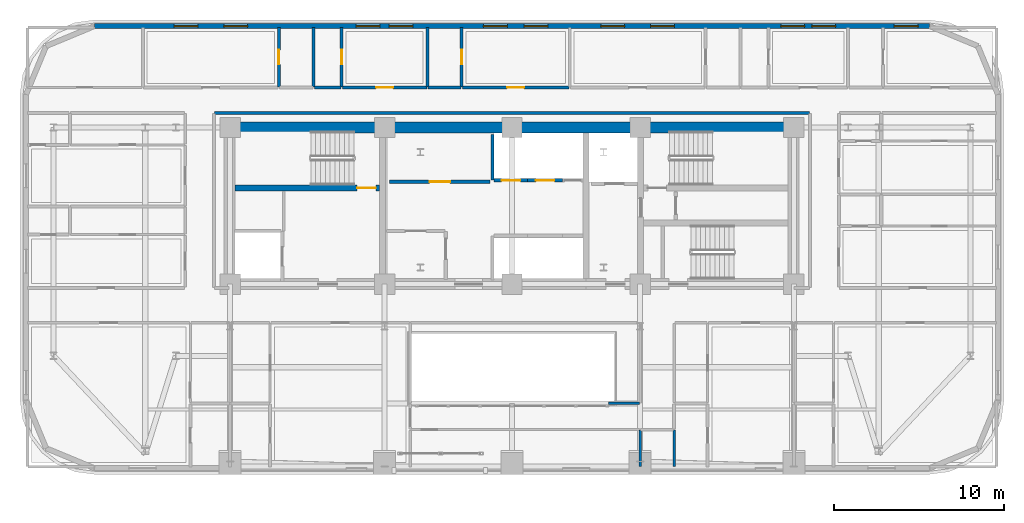
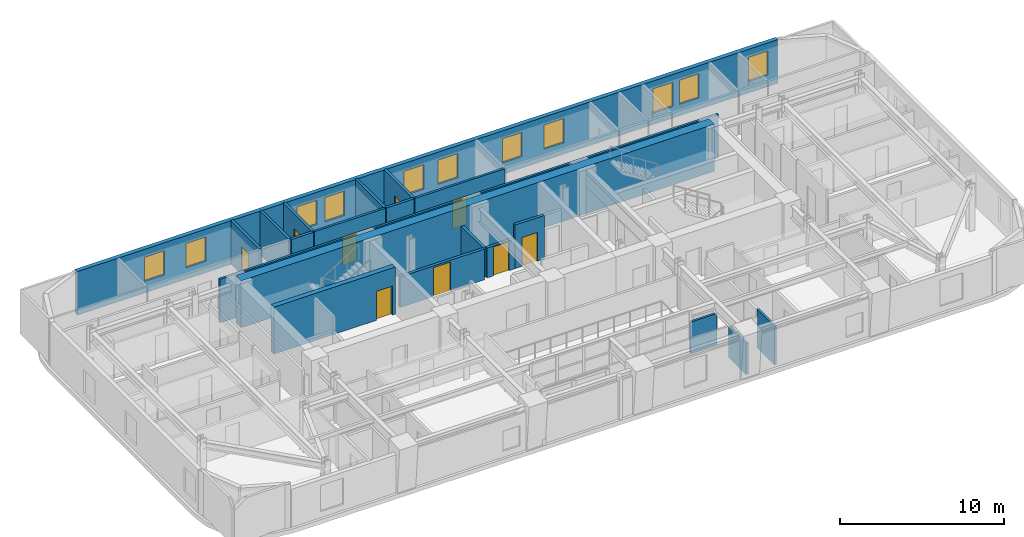
# One storey, part 10 of 16: 20 walls, 11 windows, 9 doors, 20 openings.
"""IFC4 building model written with IfcOpenShell, lengths in metres."""

from ifc_helpers import new_model, si_unit, direction, frame, frame_2d, origin, place, context, subcontext, project, spatial, rectangle, extrude, material, layer, layer_set, type_object, element, fill, save


model = new_model("IFC4")

# Units and contexts
model_context = context("Model", 3, precision=1e-05, world=origin(), true_north=direction((0.0, 1.0)))
body_context = subcontext(model_context, "Body", "Model", "MODEL_VIEW")
ifc_project = project(units=[si_unit("LENGTHUNIT", "METRE"), si_unit("AREAUNIT", "SQUARE_METRE"), si_unit("VOLUMEUNIT", "CUBIC_METRE"), si_unit("PLANEANGLEUNIT", "RADIAN"), si_unit("MASSUNIT", "GRAM", prefix="KILO")], contexts=[model_context])

# Site, building, storey
site_placement = place(None, origin())
site = spatial("IfcSite", under=ifc_project, at=site_placement, CompositionType="ELEMENT")
building_placement = place(site_placement, origin())
building = spatial("IfcBuilding", under=site, at=building_placement, Name="Zarnavel Station Tower", CompositionType="ELEMENT")
storey_placement = place(building_placement, frame((0.0, 0.0, 97.800048828125)))
storey = spatial("IfcBuildingStorey", under=building, at=storey_placement, Name="L26", CompositionType="ELEMENT", Elevation=97.800048828125)

# Wall, opening, door
ifc_material_1 = material(Name="Concrete C50/60", Category="concrete")
ifc_layer_1 = layer(ifc_material_1, 0.35009765625)
ifc_layer_set_1 = layer_set([ifc_layer_1], Name="CW_350")
wall_type_1 = type_object("IfcWallType", Name="CW_350", PredefinedType="SHEAR", material=ifc_layer_set_1)
wall_1_placement = place(storey_placement, frame((21.0048828125, 33.47998046875, 0.0), z_axis=(0.0, 0.0, 1.0), x_axis=(-1.0, 0.0, 0.0)))
wall_1 = element("IfcWall", 1, at=wall_1_placement, inside=storey, type_object=wall_type_1, Name="L26 Rear Core Shear Wall DIV-H1", PredefinedType="SHEAR", context=body_context, shape_type="SweptSolid", body=[
    extrude(rectangle(XDim=8.52978515625, YDim=0.35009765625, at=frame_2d((4.264892578125, 0.0))), origin(), (0.0, 0.0, 1.0), 3.5),
])
opening_1_placement = place(wall_1_placement, frame((0.219970703125, 0.0, 0.0)))
opening_1 = element("IfcOpeningElement", 2, at=opening_1_placement, cuts=wall_1, Name="Opening FD01", PredefinedType="OPENING", context=body_context, shape_type="SweptSolid", body=[
    extrude(rectangle(XDim=1.10009765625, YDim=2.14990234375, at=frame_2d((0.550048828125, 1.074951171875))), frame((0.0, 0.18505859375, 0.0), z_axis=(0.0, -1.0, 0.0), x_axis=(1.0, 0.0, 0.0)), (0.0, 0.0, 1.0), 0.3701171875),
])
ifc_material_2 = material(Name="Painted Galvanised Steel and Hardwood Leaf", Category="steel")
door_type_1 = type_object("IfcDoorType", Name="ID_STAIR_1100", OperationType="NOTDEFINED", PredefinedType="DOOR", material=ifc_material_2)
door_1_placement = place(opening_1_placement, origin())
door_1 = element("IfcDoor", 3, at=door_1_placement, inside=storey, type_object=door_type_1, Name="L26 Stair ST1 Lobby Fire Door", OperationType="SINGLE_SWING_LEFT", OverallHeight=2.14990234375, OverallWidth=1.10009765625, PredefinedType="DOOR", context=body_context, shape_type="SweptSolid", body=[
    extrude(rectangle(XDim=1.10009765625, YDim=2.14990234375, at=frame_2d((0.550048828125, 1.074951171875))), frame((0.0, 0.02490234375, 0.0), z_axis=(0.0, -1.0, 0.0), x_axis=(1.0, 0.0, 0.0)), (0.0, 0.0, 1.0), 0.050048828125),
])
fill(opening_1, door_1)

# Wall
ifc_material_3 = material(Name="Concrete C60/75", Category="concrete")
ifc_layer_2 = layer(ifc_material_3, 0.64990234375)
ifc_layer_set_2 = layer_set([ifc_layer_2], Name="CW_650")
wall_type_2 = type_object("IfcWallType", Name="CW_650", PredefinedType="SHEAR", material=ifc_layer_set_2)
wall_2_placement = place(storey_placement, frame((12.14990234375, 37.050048828125, 0.0), z_axis=(0.0, 0.0, 1.0), x_axis=(1.0, 0.0, 0.0)))
element("IfcWall", 4, at=wall_2_placement, inside=storey, type_object=wall_type_2, Name="L26 Rear Core Shear Wall N", PredefinedType="SHEAR", context=body_context, shape_type="SweptSolid", body=[
    extrude(rectangle(XDim=33.22998046875, YDim=0.64990234375, at=frame_2d((16.614990234375, 0.0))), origin(), (0.0, 0.0, 1.0), 3.5),
])

# Wall, openings, windows
ifc_material_4 = material(Name="Precast concrete C45/55 (Dark Basalt Finish)", Category="masonry")
ifc_layer_3 = layer(ifc_material_4, 0.300048828125)
ifc_layer_set_3 = layer_set([ifc_layer_3], Name="EW_BASALT_300")
wall_type_3 = type_object("IfcWallType", Name="EW_BASALT_300", PredefinedType="SOLIDWALL", material=ifc_layer_set_3)
wall_3_placement = place(storey_placement, frame((4.199951171875, 43.02001953125, 0.0), z_axis=(0.0, 0.0, 1.0), x_axis=(1.0, 0.0, 0.0)))
wall_3 = element("IfcWall", 5, at=wall_3_placement, inside=storey, type_object=wall_type_3, Name="L26 Exterior Basalt Masonry Frame Wall 06", PredefinedType="SOLIDWALL", context=body_context, shape_type="SweptSolid", body=[
    extrude(rectangle(XDim=49.199951171875, YDim=0.300048828125, at=frame_2d((24.60009765625, 0.0))), origin(), (0.0, 0.0, 1.0), 3.239990234375),
])
opening_2_placement = place(wall_3_placement, frame((4.6953125, 0.0, 0.85009765625)))
opening_2 = element("IfcOpeningElement", 6, at=opening_2_placement, cuts=wall_3, Name="Opening WN01", PredefinedType="OPENING", context=body_context, shape_type="SweptSolid", body=[
    extrude(rectangle(XDim=1.39990234375, YDim=1.800048828125, at=frame_2d((0.699951171875, 0.89990234375))), frame((0.0, 0.159912109375, 0.0), z_axis=(0.0, -1.0, 0.0), x_axis=(1.0, 0.0, 0.0)), (0.0, 0.0, 1.0), 0.320068359375),
])
opening_3_placement = place(wall_3_placement, frame((7.630615234375, 0.0, 0.85009765625)))
opening_3 = element("IfcOpeningElement", 7, at=opening_3_placement, cuts=wall_3, Name="Opening WN01", PredefinedType="OPENING", context=body_context, shape_type="SweptSolid", body=[
    extrude(rectangle(XDim=1.39990234375, YDim=1.800048828125, at=frame_2d((0.699951171875, 0.89990234375))), frame((0.0, 0.159912109375, 0.0), z_axis=(0.0, -1.0, 0.0), x_axis=(1.0, 0.0, 0.0)), (0.0, 0.0, 1.0), 0.320068359375),
])
opening_4_placement = place(wall_3_placement, frame((15.417236328125, 0.0, 0.85009765625)))
opening_4 = element("IfcOpeningElement", 8, at=opening_4_placement, cuts=wall_3, Name="Opening WN01", PredefinedType="OPENING", context=body_context, shape_type="SweptSolid", body=[
    extrude(rectangle(XDim=1.39990234375, YDim=1.800048828125, at=frame_2d((0.699951171875, 0.89990234375))), frame((0.0, 0.159912109375, 0.0), z_axis=(0.0, -1.0, 0.0), x_axis=(1.0, 0.0, 0.0)), (0.0, 0.0, 1.0), 0.320068359375),
])
opening_5_placement = place(wall_3_placement, frame((17.36865234375, 0.0, 0.85009765625)))
opening_5 = element("IfcOpeningElement", 9, at=opening_5_placement, cuts=wall_3, Name="Opening WN01", PredefinedType="OPENING", context=body_context, shape_type="SweptSolid", body=[
    extrude(rectangle(XDim=1.39990234375, YDim=1.800048828125, at=frame_2d((0.699951171875, 0.89990234375))), frame((0.0, 0.159912109375, 0.0), z_axis=(0.0, -1.0, 0.0), x_axis=(1.0, 0.0, 0.0)), (0.0, 0.0, 1.0), 0.320068359375),
])
opening_6_placement = place(wall_3_placement, frame((22.920654296875, 0.0, 0.85009765625)))
opening_6 = element("IfcOpeningElement", 10, at=opening_6_placement, cuts=wall_3, Name="Opening WN01", PredefinedType="OPENING", context=body_context, shape_type="SweptSolid", body=[
    extrude(rectangle(XDim=1.39990234375, YDim=1.800048828125, at=frame_2d((0.699951171875, 0.89990234375))), frame((0.0, 0.159912109375, 0.0), z_axis=(0.0, -1.0, 0.0), x_axis=(1.0, 0.0, 0.0)), (0.0, 0.0, 1.0), 0.320068359375),
])
opening_7_placement = place(wall_3_placement, frame((25.310302734375, 0.0, 0.85009765625)))
opening_7 = element("IfcOpeningElement", 11, at=opening_7_placement, cuts=wall_3, Name="Opening WN01", PredefinedType="OPENING", context=body_context, shape_type="SweptSolid", body=[
    extrude(rectangle(XDim=1.39990234375, YDim=1.800048828125, at=frame_2d((0.699951171875, 0.89990234375))), frame((0.0, 0.159912109375, 0.0), z_axis=(0.0, -1.0, 0.0), x_axis=(1.0, 0.0, 0.0)), (0.0, 0.0, 1.0), 0.320068359375),
])
opening_8_placement = place(wall_3_placement, frame((29.835205078125, 0.0, 0.85009765625)))
opening_8 = element("IfcOpeningElement", 12, at=opening_8_placement, cuts=wall_3, Name="Opening WN01", PredefinedType="OPENING", context=body_context, shape_type="SweptSolid", body=[
    extrude(rectangle(XDim=1.39990234375, YDim=1.800048828125, at=frame_2d((0.699951171875, 0.89990234375))), frame((0.0, 0.159912109375, 0.0), z_axis=(0.0, -1.0, 0.0), x_axis=(1.0, 0.0, 0.0)), (0.0, 0.0, 1.0), 0.320068359375),
])
opening_9_placement = place(wall_3_placement, frame((32.770751953125, 0.0, 0.85009765625)))
opening_9 = element("IfcOpeningElement", 13, at=opening_9_placement, cuts=wall_3, Name="Opening WN01", PredefinedType="OPENING", context=body_context, shape_type="SweptSolid", body=[
    extrude(rectangle(XDim=1.39990234375, YDim=1.800048828125, at=frame_2d((0.699951171875, 0.89990234375))), frame((0.0, 0.159912109375, 0.0), z_axis=(0.0, -1.0, 0.0), x_axis=(1.0, 0.0, 0.0)), (0.0, 0.0, 1.0), 0.320068359375),
])
opening_10_placement = place(wall_3_placement, frame((40.437255859375, 0.0, 0.85009765625)))
opening_10 = element("IfcOpeningElement", 14, at=opening_10_placement, cuts=wall_3, Name="Opening WN01", PredefinedType="OPENING", context=body_context, shape_type="SweptSolid", body=[
    extrude(rectangle(XDim=1.39990234375, YDim=1.800048828125, at=frame_2d((0.699951171875, 0.89990234375))), frame((0.0, 0.159912109375, 0.0), z_axis=(0.0, -1.0, 0.0), x_axis=(1.0, 0.0, 0.0)), (0.0, 0.0, 1.0), 0.320068359375),
])
opening_11_placement = place(wall_3_placement, frame((42.268798828125, 0.0, 0.85009765625)))
opening_11 = element("IfcOpeningElement", 15, at=opening_11_placement, cuts=wall_3, Name="Opening WN01", PredefinedType="OPENING", context=body_context, shape_type="SweptSolid", body=[
    extrude(rectangle(XDim=1.39990234375, YDim=1.800048828125, at=frame_2d((0.699951171875, 0.89990234375))), frame((0.0, 0.159912109375, 0.0), z_axis=(0.0, -1.0, 0.0), x_axis=(1.0, 0.0, 0.0)), (0.0, 0.0, 1.0), 0.320068359375),
])
opening_12_placement = place(wall_3_placement, frame((47.114990234375, 0.0, 0.85009765625)))
opening_12 = element("IfcOpeningElement", 16, at=opening_12_placement, cuts=wall_3, Name="Opening WN01", PredefinedType="OPENING", context=body_context, shape_type="SweptSolid", body=[
    extrude(rectangle(XDim=1.39990234375, YDim=1.800048828125, at=frame_2d((0.699951171875, 0.89990234375))), frame((0.0, 0.159912109375, 0.0), z_axis=(0.0, -1.0, 0.0), x_axis=(1.0, 0.0, 0.0)), (0.0, 0.0, 1.0), 0.320068359375),
])
ifc_material_5 = material(Name="Thermally Broken Black Aluminium and Low-E Dark Glass", Category="aluminium")
window_type = type_object("IfcWindowType", Name="WN_1400x1800", PartitioningType="DOUBLE_PANEL_VERTICAL", PredefinedType="WINDOW", material=ifc_material_5)
window_1_placement = place(opening_2_placement, origin())
window_1 = element("IfcWindow", 17, at=window_1_placement, inside=storey, type_object=window_type, Name="L26 Recessed Facade Window 01", OverallHeight=1.800048828125, OverallWidth=1.39990234375, PartitioningType="SINGLE_PANEL", PredefinedType="WINDOW", context=body_context, shape_type="SweptSolid", body=[
    extrude(rectangle(XDim=1.39990234375, YDim=1.800048828125, at=frame_2d((0.699951171875, 0.89990234375))), frame((0.0, 0.030029296875, 0.0), z_axis=(0.0, -1.0, 0.0), x_axis=(1.0, 0.0, 0.0)), (0.0, 0.0, 1.0), 0.06005859375),
])
fill(opening_2, window_1)
window_2_placement = place(opening_3_placement, origin())
window_2 = element("IfcWindow", 18, at=window_2_placement, inside=storey, type_object=window_type, Name="L26 Recessed Facade Window 02", OverallHeight=1.800048828125, OverallWidth=1.39990234375, PartitioningType="SINGLE_PANEL", PredefinedType="WINDOW", context=body_context, shape_type="SweptSolid", body=[
    extrude(rectangle(XDim=1.39990234375, YDim=1.800048828125, at=frame_2d((0.699951171875, 0.89990234375))), frame((0.0, 0.030029296875, 0.0), z_axis=(0.0, -1.0, 0.0), x_axis=(1.0, 0.0, 0.0)), (0.0, 0.0, 1.0), 0.06005859375),
])
fill(opening_3, window_2)
window_3_placement = place(opening_4_placement, origin())
window_3 = element("IfcWindow", 19, at=window_3_placement, inside=storey, type_object=window_type, Name="L26 Recessed Facade Window 03", OverallHeight=1.800048828125, OverallWidth=1.39990234375, PartitioningType="SINGLE_PANEL", PredefinedType="WINDOW", context=body_context, shape_type="SweptSolid", body=[
    extrude(rectangle(XDim=1.39990234375, YDim=1.800048828125, at=frame_2d((0.699951171875, 0.89990234375))), frame((0.0, 0.030029296875, 0.0), z_axis=(0.0, -1.0, 0.0), x_axis=(1.0, 0.0, 0.0)), (0.0, 0.0, 1.0), 0.06005859375),
])
fill(opening_4, window_3)
window_4_placement = place(opening_5_placement, origin())
window_4 = element("IfcWindow", 20, at=window_4_placement, inside=storey, type_object=window_type, Name="L26 Recessed Facade Window 04", OverallHeight=1.800048828125, OverallWidth=1.39990234375, PartitioningType="SINGLE_PANEL", PredefinedType="WINDOW", context=body_context, shape_type="SweptSolid", body=[
    extrude(rectangle(XDim=1.39990234375, YDim=1.800048828125, at=frame_2d((0.699951171875, 0.89990234375))), frame((0.0, 0.030029296875, 0.0), z_axis=(0.0, -1.0, 0.0), x_axis=(1.0, 0.0, 0.0)), (0.0, 0.0, 1.0), 0.06005859375),
])
fill(opening_5, window_4)
window_5_placement = place(opening_6_placement, origin())
window_5 = element("IfcWindow", 21, at=window_5_placement, inside=storey, type_object=window_type, Name="L26 Recessed Facade Window 05", OverallHeight=1.800048828125, OverallWidth=1.39990234375, PartitioningType="SINGLE_PANEL", PredefinedType="WINDOW", context=body_context, shape_type="SweptSolid", body=[
    extrude(rectangle(XDim=1.39990234375, YDim=1.800048828125, at=frame_2d((0.699951171875, 0.89990234375))), frame((0.0, 0.030029296875, 0.0), z_axis=(0.0, -1.0, 0.0), x_axis=(1.0, 0.0, 0.0)), (0.0, 0.0, 1.0), 0.06005859375),
])
fill(opening_6, window_5)
window_6_placement = place(opening_7_placement, origin())
window_6 = element("IfcWindow", 22, at=window_6_placement, inside=storey, type_object=window_type, Name="L26 Recessed Facade Window 06", OverallHeight=1.800048828125, OverallWidth=1.39990234375, PartitioningType="SINGLE_PANEL", PredefinedType="WINDOW", context=body_context, shape_type="SweptSolid", body=[
    extrude(rectangle(XDim=1.39990234375, YDim=1.800048828125, at=frame_2d((0.699951171875, 0.89990234375))), frame((0.0, 0.030029296875, 0.0), z_axis=(0.0, -1.0, 0.0), x_axis=(1.0, 0.0, 0.0)), (0.0, 0.0, 1.0), 0.06005859375),
])
fill(opening_7, window_6)
window_7_placement = place(opening_8_placement, origin())
window_7 = element("IfcWindow", 23, at=window_7_placement, inside=storey, type_object=window_type, Name="L26 Recessed Facade Window 07", OverallHeight=1.800048828125, OverallWidth=1.39990234375, PartitioningType="SINGLE_PANEL", PredefinedType="WINDOW", context=body_context, shape_type="SweptSolid", body=[
    extrude(rectangle(XDim=1.39990234375, YDim=1.800048828125, at=frame_2d((0.699951171875, 0.89990234375))), frame((0.0, 0.030029296875, 0.0), z_axis=(0.0, -1.0, 0.0), x_axis=(1.0, 0.0, 0.0)), (0.0, 0.0, 1.0), 0.06005859375),
])
fill(opening_8, window_7)
window_8_placement = place(opening_9_placement, origin())
window_8 = element("IfcWindow", 24, at=window_8_placement, inside=storey, type_object=window_type, Name="L26 Recessed Facade Window 08", OverallHeight=1.800048828125, OverallWidth=1.39990234375, PartitioningType="SINGLE_PANEL", PredefinedType="WINDOW", context=body_context, shape_type="SweptSolid", body=[
    extrude(rectangle(XDim=1.39990234375, YDim=1.800048828125, at=frame_2d((0.699951171875, 0.89990234375))), frame((0.0, 0.030029296875, 0.0), z_axis=(0.0, -1.0, 0.0), x_axis=(1.0, 0.0, 0.0)), (0.0, 0.0, 1.0), 0.06005859375),
])
fill(opening_9, window_8)
window_9_placement = place(opening_10_placement, origin())
window_9 = element("IfcWindow", 25, at=window_9_placement, inside=storey, type_object=window_type, Name="L26 Recessed Facade Window 09", OverallHeight=1.800048828125, OverallWidth=1.39990234375, PartitioningType="SINGLE_PANEL", PredefinedType="WINDOW", context=body_context, shape_type="SweptSolid", body=[
    extrude(rectangle(XDim=1.39990234375, YDim=1.800048828125, at=frame_2d((0.699951171875, 0.89990234375))), frame((0.0, 0.030029296875, 0.0), z_axis=(0.0, -1.0, 0.0), x_axis=(1.0, 0.0, 0.0)), (0.0, 0.0, 1.0), 0.06005859375),
])
fill(opening_10, window_9)
window_10_placement = place(opening_11_placement, origin())
window_10 = element("IfcWindow", 26, at=window_10_placement, inside=storey, type_object=window_type, Name="L26 Recessed Facade Window 10", OverallHeight=1.800048828125, OverallWidth=1.39990234375, PartitioningType="SINGLE_PANEL", PredefinedType="WINDOW", context=body_context, shape_type="SweptSolid", body=[
    extrude(rectangle(XDim=1.39990234375, YDim=1.800048828125, at=frame_2d((0.699951171875, 0.89990234375))), frame((0.0, 0.030029296875, 0.0), z_axis=(0.0, -1.0, 0.0), x_axis=(1.0, 0.0, 0.0)), (0.0, 0.0, 1.0), 0.06005859375),
])
fill(opening_11, window_10)
window_11_placement = place(opening_12_placement, origin())
window_11 = element("IfcWindow", 27, at=window_11_placement, inside=storey, type_object=window_type, Name="L26 Recessed Facade Window 11", OverallHeight=1.800048828125, OverallWidth=1.39990234375, PartitioningType="SINGLE_PANEL", PredefinedType="WINDOW", context=body_context, shape_type="SweptSolid", body=[
    extrude(rectangle(XDim=1.39990234375, YDim=1.800048828125, at=frame_2d((0.699951171875, 0.89990234375))), frame((0.0, 0.030029296875, 0.0), z_axis=(0.0, -1.0, 0.0), x_axis=(1.0, 0.0, 0.0)), (0.0, 0.0, 1.0), 0.06005859375),
])
fill(opening_12, window_11)

# Wall, opening, door
ifc_material_6 = material(Name="Gypsum Twin-Stud Acoustic Fire Partition", Category="concrete")
ifc_layer_4 = layer(ifc_material_6, 0.159912109375)
ifc_layer_set_4 = layer_set([ifc_layer_4], Name="PT_DEMISE_160")
wall_type_4 = type_object("IfcWallType", Name="PT_DEMISE_160", PredefinedType="PARTITIONING", material=ifc_layer_set_4)
wall_4_placement = place(storey_placement, frame((18.805908203125, 39.39990234375, 0.0), z_axis=(0.0, 0.0, 1.0), x_axis=(1.0, 0.0, 0.0)))
wall_4 = element("IfcWall", 28, at=wall_4_placement, inside=storey, type_object=wall_type_4, Name="L26 Partition COR-N-HN2R", PredefinedType="PARTITIONING", context=body_context, shape_type="SweptSolid", body=[
    extrude(rectangle(XDim=4.97412109375, YDim=0.159912109375, at=frame_2d((2.487060546875, 0.0))), origin(), (0.0, 0.0, 1.0), 3.239990234375),
])
opening_13_placement = place(wall_4_placement, frame((1.987060546875, 0.0, 0.0)))
opening_13 = element("IfcOpeningElement", 29, at=opening_13_placement, cuts=wall_4, Name="Opening FD02", PredefinedType="OPENING", context=body_context, shape_type="SweptSolid", body=[
    extrude(rectangle(XDim=1.0, YDim=2.14990234375, at=frame_2d((0.5, 1.074951171875))), frame((0.0, 0.08984375, 0.0), z_axis=(0.0, -1.0, 0.0), x_axis=(1.0, 0.0, 0.0)), (0.0, 0.0, 1.0), 0.179931640625),
])
ifc_material_7 = material(Name="Painted Galvanised Steel and Hardwood Leaf", Category="steel")
door_type_2 = type_object("IfcDoorType", Name="ID_ENTRY_1000", OperationType="NOTDEFINED", PredefinedType="DOOR", material=ifc_material_7)
door_2_placement = place(opening_13_placement, origin())
door_2 = element("IfcDoor", 30, at=door_2_placement, inside=storey, type_object=door_type_2, Name="L26 Door COR-N-HN2R", OperationType="SINGLE_SWING_RIGHT", OverallHeight=2.14990234375, OverallWidth=1.0, PredefinedType="DOOR", context=body_context, shape_type="SweptSolid", body=[
    extrude(rectangle(XDim=1.0, YDim=2.14990234375, at=frame_2d((0.5, 1.074951171875))), frame((0.0, 0.02490234375, 0.0), z_axis=(0.0, -1.0, 0.0), x_axis=(1.0, 0.0, 0.0)), (0.0, 0.0, 1.0), 0.050048828125),
])
fill(opening_13, door_2)

wall_5_placement = place(storey_placement, frame((25.87109375, 39.39990234375, 0.0), z_axis=(0.0, 0.0, 1.0), x_axis=(1.0, 0.0, 0.0)))
wall_5 = element("IfcWall", 31, at=wall_5_placement, inside=storey, type_object=wall_type_4, Name="L26 Partition COR-N-HN3R", PredefinedType="PARTITIONING", context=body_context, shape_type="SweptSolid", body=[
    extrude(rectangle(XDim=6.288818359375, YDim=0.159912109375, at=frame_2d((3.14453125, 0.0))), origin(), (0.0, 0.0, 1.0), 3.239990234375),
])
opening_14_placement = place(wall_5_placement, frame((2.64453125, 0.0, 0.0)))
opening_14 = element("IfcOpeningElement", 32, at=opening_14_placement, cuts=wall_5, Name="Opening FD02", PredefinedType="OPENING", context=body_context, shape_type="SweptSolid", body=[
    extrude(rectangle(XDim=1.0, YDim=2.14990234375, at=frame_2d((0.5, 1.074951171875))), frame((0.0, 0.08984375, 0.0), z_axis=(0.0, -1.0, 0.0), x_axis=(1.0, 0.0, 0.0)), (0.0, 0.0, 1.0), 0.179931640625),
])
door_3_placement = place(opening_14_placement, origin())
door_3 = element("IfcDoor", 33, at=door_3_placement, inside=storey, type_object=door_type_2, Name="L26 Door COR-N-HN3R", OperationType="SINGLE_SWING_LEFT", OverallHeight=2.14990234375, OverallWidth=1.0, PredefinedType="DOOR", context=body_context, shape_type="SweptSolid", body=[
    extrude(rectangle(XDim=1.0, YDim=2.14990234375, at=frame_2d((0.5, 1.074951171875))), frame((0.0, 0.02490234375, 0.0), z_axis=(0.0, -1.0, 0.0), x_axis=(1.0, 0.0, 0.0)), (0.0, 0.0, 1.0), 0.050048828125),
])
fill(opening_14, door_3)

# Walls
wall_6_placement = place(storey_placement, frame((11.280029296875, 37.89990234375, 0.0), z_axis=(0.0, 0.0, 1.0), x_axis=(1.0, 0.0, 0.0)))
element("IfcWall", 34, at=wall_6_placement, inside=storey, type_object=wall_type_4, Name="L26 Enclosure Wall COR-N", PredefinedType="PARTITIONING", context=body_context, shape_type="SweptSolid", body=[
    extrude(rectangle(XDim=35.0400390625, YDim=0.159912109375, at=frame_2d((17.52001953125, 0.0))), origin(), (0.0, 0.0, 1.0), 3.239990234375),
])
wall_7_placement = place(storey_placement, frame((34.47998046875, 20.800048828125, 0.0), z_axis=(0.0, 0.0, 1.0), x_axis=(1.0, 0.0, 0.0)))
element("IfcWall", 35, at=wall_7_placement, inside=storey, type_object=wall_type_4, Name="L26 Enclosure Wall COR-AS", PredefinedType="PARTITIONING", context=body_context, shape_type="SweptSolid", body=[
    extrude(rectangle(XDim=1.840087890625, YDim=0.159912109375, at=frame_2d((0.919921875, 0.0))), origin(), (0.0, 0.0, 1.0), 2.31005859375),
])
wall_8_placement = place(storey_placement, frame((36.35009765625, 17.090087890625, 0.0), z_axis=(0.0, 0.0, 1.0), x_axis=(0.0, 1.0, 0.0)))
element("IfcWall", 36, at=wall_8_placement, inside=storey, type_object=wall_type_4, Name="L26 Enclosure Wall L25SAL", PredefinedType="PARTITIONING", context=body_context, shape_type="SweptSolid", body=[
    extrude(rectangle(XDim=2.1298828125, YDim=0.159912109375, at=frame_2d((1.06494140625, 0.0))), origin(), (0.0, 0.0, 1.0), 2.31005859375),
])
wall_9_placement = place(storey_placement, frame((38.35009765625, 17.090087890625, 0.0), z_axis=(0.0, 0.0, 1.0), x_axis=(0.0, 1.0, 0.0)))
element("IfcWall", 37, at=wall_9_placement, inside=storey, type_object=wall_type_4, Name="L26 Enclosure Wall HE1B", PredefinedType="PARTITIONING", context=body_context, shape_type="SweptSolid", body=[
    extrude(rectangle(XDim=2.1298828125, YDim=0.159912109375, at=frame_2d((1.06494140625, 0.0))), origin(), (0.0, 0.0, 1.0), 2.85986328125),
])

# Wall, opening, door
ifc_material_8 = material(Name="Precast concrete C45/55 (Fire Shaft Blockwork)", Category="masonry")
ifc_layer_5 = layer(ifc_material_8, 0.199951171875)
ifc_layer_set_5 = layer_set([ifc_layer_5], Name="PT_SHAFT_200")
wall_type_5 = type_object("IfcWallType", Name="PT_SHAFT_200", PredefinedType="PARTITIONING", material=ifc_layer_set_5)
wall_10_placement = place(storey_placement, frame((27.75, 33.929931640625, 0.0), z_axis=(0.0, 0.0, 1.0), x_axis=(1.0, 0.0, 0.0)))
wall_10 = element("IfcWall", 38, at=wall_10_placement, inside=storey, type_object=wall_type_5, Name="L26 Lift PL-M1 Shaft Front Wall", PredefinedType="PARTITIONING", context=body_context, shape_type="SweptSolid", body=[
    extrude(rectangle(XDim=1.97509765625, YDim=0.199951171875, at=frame_2d((0.987548828125, 0.0))), origin(), (0.0, 0.0, 1.0), 2.2119140625),
])
opening_15_placement = place(wall_10_placement, frame((0.4375, 0.0, 0.0)))
opening_15 = element("IfcOpeningElement", 39, at=opening_15_placement, cuts=wall_10, Name="Opening LD02", PredefinedType="OPENING", context=body_context, shape_type="SweptSolid", body=[
    extrude(rectangle(XDim=1.10009765625, YDim=2.14990234375, at=frame_2d((0.550048828125, 1.074951171875))), frame((0.0, 0.10986328125, 0.0), z_axis=(0.0, -1.0, 0.0), x_axis=(1.0, 0.0, 0.0)), (0.0, 0.0, 1.0), 0.219970703125),
])
ifc_material_9 = material(Name="Painted Galvanised Steel and Hardwood Leaf", Category="steel")
door_type_3 = type_object("IfcDoorType", Name="LD_PAX_1100", OperationType="DOUBLE_DOOR_SLIDING", PredefinedType="DOOR", material=ifc_material_9)
door_4_placement = place(opening_15_placement, origin())
door_4 = element("IfcDoor", 40, at=door_4_placement, inside=storey, type_object=door_type_3, Name="L26 Lift PL-M1 Sliding Landing Door", OperationType="DOUBLE_DOOR_SLIDING", OverallHeight=2.14990234375, OverallWidth=1.10009765625, PredefinedType="DOOR", context=body_context, shape_type="SweptSolid", body=[
    extrude(rectangle(XDim=1.10009765625, YDim=2.14990234375, at=frame_2d((0.550048828125, 1.074951171875))), frame((0.0, 0.02490234375, 0.0), z_axis=(0.0, -1.0, 0.0), x_axis=(1.0, 0.0, 0.0)), (0.0, 0.0, 1.0), 0.050048828125),
])
fill(opening_15, door_4)

# Wall
wall_11_placement = place(storey_placement, frame((27.64990234375, 33.949951171875, 0.0), z_axis=(0.0, 0.0, 1.0), x_axis=(0.0, 1.0, 0.0)))
element("IfcWall", 41, at=wall_11_placement, inside=storey, type_object=wall_type_5, Name="L26 Mid-Rise Lift Bank West Shaft Wall", PredefinedType="PARTITIONING", context=body_context, shape_type="SweptSolid", body=[
    extrude(rectangle(XDim=2.679931640625, YDim=0.199951171875, at=frame_2d((1.33984375, 0.0))), origin(), (0.0, 0.0, 1.0), 2.2119140625),
])

# Wall, opening, door
wall_12_placement = place(storey_placement, frame((29.72509765625, 33.929931640625, 0.0), z_axis=(0.0, 0.0, 1.0), x_axis=(1.0, 0.0, 0.0)))
wall_12 = element("IfcWall", 42, at=wall_12_placement, inside=storey, type_object=wall_type_5, Name="L26 Lift PL-M2 Shaft Front Wall", PredefinedType="PARTITIONING", context=body_context, shape_type="SweptSolid", body=[
    extrude(rectangle(XDim=2.0498046875, YDim=0.199951171875, at=frame_2d((1.02490234375, 0.0))), origin(), (0.0, 0.0, 1.0), 3.239990234375),
])
opening_16_placement = place(wall_12_placement, frame((0.47509765625, 0.0, 0.0)))
opening_16 = element("IfcOpeningElement", 43, at=opening_16_placement, cuts=wall_12, Name="Opening LD02", PredefinedType="OPENING", context=body_context, shape_type="SweptSolid", body=[
    extrude(rectangle(XDim=1.10009765625, YDim=2.14990234375, at=frame_2d((0.550048828125, 1.074951171875))), frame((0.0, 0.10986328125, 0.0), z_axis=(0.0, -1.0, 0.0), x_axis=(1.0, 0.0, 0.0)), (0.0, 0.0, 1.0), 0.219970703125),
])
door_5_placement = place(opening_16_placement, origin())
door_5 = element("IfcDoor", 44, at=door_5_placement, inside=storey, type_object=door_type_3, Name="L26 Lift PL-M2 Sliding Landing Door", OperationType="DOUBLE_DOOR_SLIDING", OverallHeight=2.14990234375, OverallWidth=1.10009765625, PredefinedType="DOOR", context=body_context, shape_type="SweptSolid", body=[
    extrude(rectangle(XDim=1.10009765625, YDim=2.14990234375, at=frame_2d((0.550048828125, 1.074951171875))), frame((0.0, 0.02490234375, 0.0), z_axis=(0.0, -1.0, 0.0), x_axis=(1.0, 0.0, 0.0)), (0.0, 0.0, 1.0), 0.050048828125),
])
fill(opening_16, door_5)

wall_13_placement = place(storey_placement, frame((21.590087890625, 33.85009765625, 0.0), z_axis=(0.0, 0.0, 1.0), x_axis=(1.0, 0.0, 0.0)))
wall_13 = element("IfcWall", 45, at=wall_13_placement, inside=storey, type_object=wall_type_5, Name="L26 Partition LLOB-FB1A", PredefinedType="PARTITIONING", context=body_context, shape_type="SweptSolid", body=[
    extrude(rectangle(XDim=5.919921875, YDim=0.199951171875, at=frame_2d((2.9599609375, 0.0))), origin(), (0.0, 0.0, 1.0), 2.280029296875),
])
opening_17_placement = place(wall_13_placement, frame((2.360107421875, 0.0, 0.0)))
opening_17 = element("IfcOpeningElement", 46, at=opening_17_placement, cuts=wall_13, Name="Opening FD03", PredefinedType="OPENING", context=body_context, shape_type="SweptSolid", body=[
    extrude(rectangle(XDim=1.199951171875, YDim=2.14990234375, at=frame_2d((0.60009765625, 1.074951171875))), frame((0.0, 0.10986328125, 0.0), z_axis=(0.0, -1.0, 0.0), x_axis=(1.0, 0.0, 0.0)), (0.0, 0.0, 1.0), 0.219970703125),
])
ifc_material_10 = material(Name="Painted Galvanised Steel and Hardwood Leaf", Category="steel")
door_type_4 = type_object("IfcDoorType", Name="ID_PLANT_1200", OperationType="NOTDEFINED", PredefinedType="DOOR", material=ifc_material_10)
door_6_placement = place(opening_17_placement, origin())
door_6 = element("IfcDoor", 47, at=door_6_placement, inside=storey, type_object=door_type_4, Name="L26 Door LLOB-FB1A", OperationType="SINGLE_SWING_RIGHT", OverallHeight=2.14990234375, OverallWidth=1.199951171875, PredefinedType="DOOR", context=body_context, shape_type="SweptSolid", body=[
    extrude(rectangle(XDim=1.199951171875, YDim=2.14990234375, at=frame_2d((0.60009765625, 1.074951171875))), frame((0.0, 0.02490234375, 0.0), z_axis=(0.0, -1.0, 0.0), x_axis=(1.0, 0.0, 0.0)), (0.0, 0.0, 1.0), 0.050048828125),
])
fill(opening_17, door_6)

# Walls
ifc_material_11 = material(Name="Moisture-Resistant Plumbing Chase Wall", Category="concrete")
ifc_layer_6 = layer(ifc_material_11, 0.179931640625)
ifc_layer_set_6 = layer_set([ifc_layer_6], Name="PW_PLUMB_180")
wall_type_6 = type_object("IfcWallType", Name="PW_PLUMB_180", PredefinedType="PLUMBINGWALL", material=ifc_layer_set_6)
wall_14_placement = place(storey_placement, frame((17.156005859375, 39.39990234375, 0.0), z_axis=(0.0, 0.0, 1.0), x_axis=(1.0, 0.0, 0.0)))
element("IfcWall", 48, at=wall_14_placement, inside=storey, type_object=wall_type_6, Name="L26 Partition COR-N-HN2B", PredefinedType="PLUMBINGWALL", context=body_context, shape_type="SweptSolid", body=[
    extrude(rectangle(XDim=1.570068359375, YDim=0.179931640625, at=frame_2d((0.78515625, 0.0))), origin(), (0.0, 0.0, 1.0), 3.239990234375),
])
wall_15_placement = place(storey_placement, frame((23.860107421875, 39.39990234375, 0.0), z_axis=(0.0, 0.0, 1.0), x_axis=(1.0, 0.0, 0.0)))
element("IfcWall", 49, at=wall_15_placement, inside=storey, type_object=wall_type_6, Name="L26 Partition COR-N-HN3B", PredefinedType="PLUMBINGWALL", context=body_context, shape_type="SweptSolid", body=[
    extrude(rectangle(XDim=1.930908203125, YDim=0.179931640625, at=frame_2d((0.96533203125, 0.0))), origin(), (0.0, 0.0, 1.0), 3.239990234375),
])

# Wall, opening, door
wall_16_placement = place(storey_placement, frame((15.06591796875, 39.43994140625, 0.0), z_axis=(0.0, 0.0, 1.0), x_axis=(0.0, 1.0, 0.0)))
wall_16 = element("IfcWall", 50, at=wall_16_placement, inside=storey, type_object=wall_type_6, Name="L26 Partition HN1R-HN1B", PredefinedType="PLUMBINGWALL", context=body_context, shape_type="SweptSolid", body=[
    extrude(rectangle(XDim=3.5, YDim=0.179931640625, at=frame_2d((1.75, 0.0))), origin(), (0.0, 0.0, 1.0), 3.239990234375),
])
opening_18_placement = place(wall_16_placement, frame((1.324951171875, 0.0, 0.0)))
opening_18 = element("IfcOpeningElement", 51, at=opening_18_placement, cuts=wall_16, Name="Opening ID02", PredefinedType="OPENING", context=body_context, shape_type="SweptSolid", body=[
    extrude(rectangle(XDim=0.85009765625, YDim=2.10009765625, at=frame_2d((0.425048828125, 1.050048828125))), frame((0.0, 0.099853515625, 0.0), z_axis=(0.0, -1.0, 0.0), x_axis=(1.0, 0.0, 0.0)), (0.0, 0.0, 1.0), 0.199951171875),
])
ifc_material_12 = material(Name="Painted Galvanised Steel and Hardwood Leaf", Category="steel")
door_type_5 = type_object("IfcDoorType", Name="ID_BATH_850", OperationType="NOTDEFINED", PredefinedType="DOOR", material=ifc_material_12)
door_7_placement = place(opening_18_placement, origin())
door_7 = element("IfcDoor", 52, at=door_7_placement, inside=storey, type_object=door_type_5, Name="L26 Door HN1R-HN1B", OperationType="SINGLE_SWING_LEFT", OverallHeight=2.10009765625, OverallWidth=0.85009765625, PredefinedType="DOOR", context=body_context, shape_type="SweptSolid", body=[
    extrude(rectangle(XDim=0.85009765625, YDim=2.10009765625, at=frame_2d((0.425048828125, 1.050048828125))), frame((0.0, 0.02490234375, 0.0), z_axis=(0.0, -1.0, 0.0), x_axis=(1.0, 0.0, 0.0)), (0.0, 0.0, 1.0), 0.050048828125),
])
fill(opening_18, door_7)

# Wall
wall_17_placement = place(storey_placement, frame((17.115966796875, 39.43994140625, 0.0), z_axis=(0.0, 0.0, 1.0), x_axis=(0.0, 1.0, 0.0)))
element("IfcWall", 53, at=wall_17_placement, inside=storey, type_object=wall_type_6, Name="L26 Partition HN1B-HN2B", PredefinedType="PLUMBINGWALL", context=body_context, shape_type="SweptSolid", body=[
    extrude(rectangle(XDim=3.5, YDim=0.179931640625, at=frame_2d((1.75, 0.0))), origin(), (0.0, 0.0, 1.0), 3.239990234375),
])

# Wall, opening, door
wall_18_placement = place(storey_placement, frame((18.76611328125, 39.43994140625, 0.0), z_axis=(0.0, 0.0, 1.0), x_axis=(0.0, 1.0, 0.0)))
wall_18 = element("IfcWall", 54, at=wall_18_placement, inside=storey, type_object=wall_type_6, Name="L26 Partition HN2R-HN2B", PredefinedType="PLUMBINGWALL", context=body_context, shape_type="SweptSolid", body=[
    extrude(rectangle(XDim=3.5, YDim=0.179931640625, at=frame_2d((1.75, 0.0))), origin(), (0.0, 0.0, 1.0), 3.239990234375),
])
opening_19_placement = place(wall_18_placement, frame((1.324951171875, 0.0, 0.0)))
opening_19 = element("IfcOpeningElement", 55, at=opening_19_placement, cuts=wall_18, Name="Opening ID02", PredefinedType="OPENING", context=body_context, shape_type="SweptSolid", body=[
    extrude(rectangle(XDim=0.85009765625, YDim=2.10009765625, at=frame_2d((0.425048828125, 1.050048828125))), frame((0.0, 0.099853515625, 0.0), z_axis=(0.0, -1.0, 0.0), x_axis=(1.0, 0.0, 0.0)), (0.0, 0.0, 1.0), 0.199951171875),
])
door_8_placement = place(opening_19_placement, origin())
door_8 = element("IfcDoor", 56, at=door_8_placement, inside=storey, type_object=door_type_5, Name="L26 Door HN2R-HN2B", OperationType="SINGLE_SWING_RIGHT", OverallHeight=2.10009765625, OverallWidth=0.85009765625, PredefinedType="DOOR", context=body_context, shape_type="SweptSolid", body=[
    extrude(rectangle(XDim=0.85009765625, YDim=2.10009765625, at=frame_2d((0.425048828125, 1.050048828125))), frame((0.0, 0.02490234375, 0.0), z_axis=(0.0, -1.0, 0.0), x_axis=(1.0, 0.0, 0.0)), (0.0, 0.0, 1.0), 0.050048828125),
])
fill(opening_19, door_8)

# Wall
wall_19_placement = place(storey_placement, frame((23.820068359375, 39.43994140625, 0.0), z_axis=(0.0, 0.0, 1.0), x_axis=(0.0, 1.0, 0.0)))
element("IfcWall", 57, at=wall_19_placement, inside=storey, type_object=wall_type_6, Name="L26 Partition HN2R-HN3B", PredefinedType="PLUMBINGWALL", context=body_context, shape_type="SweptSolid", body=[
    extrude(rectangle(XDim=3.5, YDim=0.179931640625, at=frame_2d((1.75, 0.0))), origin(), (0.0, 0.0, 1.0), 3.239990234375),
])

# Wall, opening, door
wall_20_placement = place(storey_placement, frame((25.8310546875, 39.43994140625, 0.0), z_axis=(0.0, 0.0, 1.0), x_axis=(0.0, 1.0, 0.0)))
wall_20 = element("IfcWall", 58, at=wall_20_placement, inside=storey, type_object=wall_type_6, Name="L26 Partition HN3R-HN3B", PredefinedType="PLUMBINGWALL", context=body_context, shape_type="SweptSolid", body=[
    extrude(rectangle(XDim=3.5, YDim=0.179931640625, at=frame_2d((1.75, 0.0))), origin(), (0.0, 0.0, 1.0), 3.239990234375),
])
opening_20_placement = place(wall_20_placement, frame((1.324951171875, 0.0, 0.0)))
opening_20 = element("IfcOpeningElement", 59, at=opening_20_placement, cuts=wall_20, Name="Opening ID02", PredefinedType="OPENING", context=body_context, shape_type="SweptSolid", body=[
    extrude(rectangle(XDim=0.85009765625, YDim=2.10009765625, at=frame_2d((0.425048828125, 1.050048828125))), frame((0.0, 0.099853515625, 0.0), z_axis=(0.0, -1.0, 0.0), x_axis=(1.0, 0.0, 0.0)), (0.0, 0.0, 1.0), 0.199951171875),
])
door_9_placement = place(opening_20_placement, origin())
door_9 = element("IfcDoor", 60, at=door_9_placement, inside=storey, type_object=door_type_5, Name="L26 Door HN3R-HN3B", OperationType="SINGLE_SWING_LEFT", OverallHeight=2.10009765625, OverallWidth=0.85009765625, PredefinedType="DOOR", context=body_context, shape_type="SweptSolid", body=[
    extrude(rectangle(XDim=0.85009765625, YDim=2.10009765625, at=frame_2d((0.425048828125, 1.050048828125))), frame((0.0, 0.02490234375, 0.0), z_axis=(0.0, -1.0, 0.0), x_axis=(1.0, 0.0, 0.0)), (0.0, 0.0, 1.0), 0.050048828125),
])
fill(opening_20, door_9)

save(model, "model.ifc")
